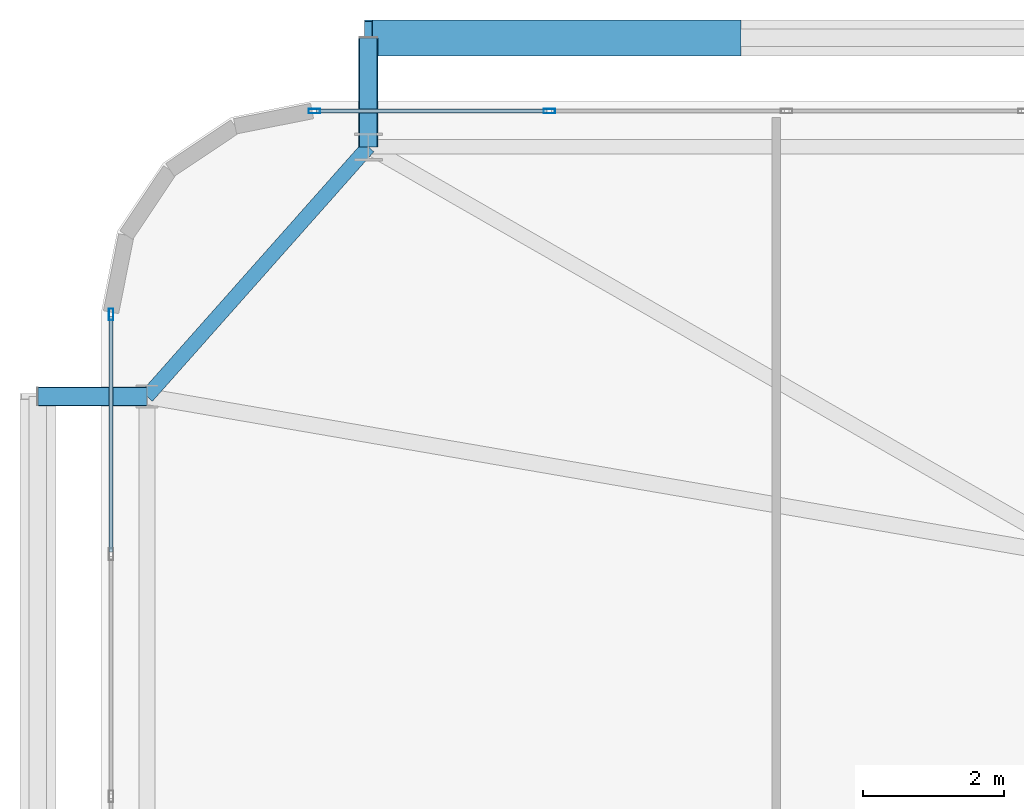
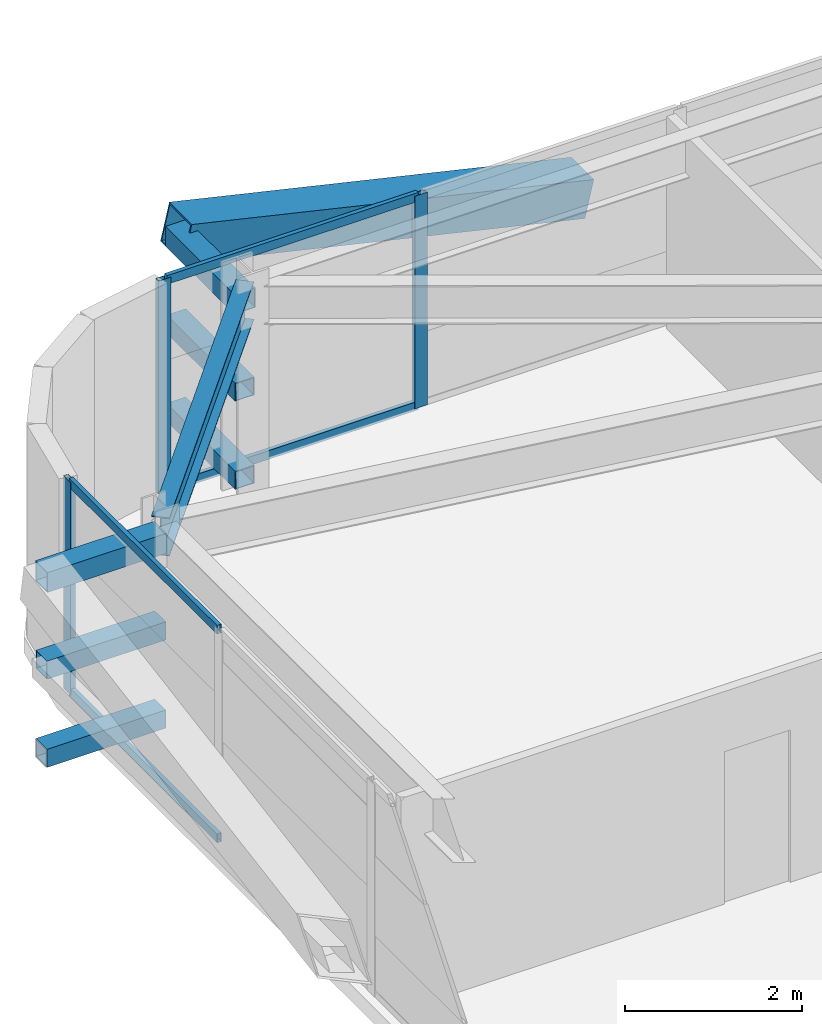
# One storey, part 33 of 58: 14 members, 1 beam, 2 elements without a shape of their own.
"""IFC4 building model written with IfcOpenShell, lengths in metres."""

from ifc_helpers import new_model, si_unit, direction, frame, origin, origin_2d, place, context, subcontext, project, spatial, hollow_rectangle, i_section, extrude, source, transform, mapped, material, layer, layer_set, material_profile, profile_set, type_object, element, aggregate, save


model = new_model("IFC4")

# Units and contexts
model_context = context("Model", 3, precision=1e-05, world=origin(), true_north=direction((0.0, 1.0)))
body_context = subcontext(model_context, "Body", "Model", "MODEL_VIEW")
ifc_project = project(units=[si_unit("LENGTHUNIT", "METRE"), si_unit("AREAUNIT", "SQUARE_METRE"), si_unit("VOLUMEUNIT", "CUBIC_METRE"), si_unit("PLANEANGLEUNIT", "RADIAN"), si_unit("MASSUNIT", "GRAM", prefix="KILO")], contexts=[model_context])

# Site, building, storey
site_placement = place(None, origin())
site = spatial("IfcSite", under=ifc_project, at=site_placement, CompositionType="ELEMENT")
building_placement = place(site_placement, origin())
building = spatial("IfcBuilding", under=site, at=building_placement, Name="Taldren Reach Tower", CompositionType="ELEMENT")
storey_placement = place(building_placement, frame((0.0, 0.0, 51.449951171875)))
storey = spatial("IfcBuildingStorey", under=building, at=storey_placement, Name="L15", CompositionType="ELEMENT", Elevation=51.449951171875)

# Beam
ifc_material_1 = material(Name="Steel Gr 350 (350PLUS)", Category="steel")
ifc_material_profile_1 = material_profile(ifc_material_1, i_section(OverallWidth=0.208984375, OverallDepth=0.528076171875, WebThickness=0.009521484375, FlangeThickness=0.01318359375, at=origin_2d()), Name="530UB82.0")
ifc_profile_set_1 = profile_set([ifc_material_profile_1], Name="Steel Gr 350 (350PLUS)")
beam_type = type_object("IfcBeamType", Name="SP-UB530B", PredefinedType="SPANDREL", material=ifc_profile_set_1)
shared_shape_1 = source(origin(), body_context, "Body", "SweptSolid", [
    extrude(i_section(OverallWidth=0.208984375, OverallDepth=0.528076171875, WebThickness=0.009521484375, FlangeThickness=0.01318359375, at=origin_2d()), origin(), (0.0, 0.0, 1.0), 4.74609375),
])
beam_placement = place(storey_placement, frame((8.800048828125, 37.85009765625, 2.666015625), z_axis=(-0.663721843779, -0.747979487747, 0.0), x_axis=(0.747979487747, -0.663721843779, 0.0)))
element("IfcBeam", 1, at=beam_placement, inside=storey, type_object=beam_type, Name="Perimeter spandrel B1 N1-W3 L15", PredefinedType="SPANDREL", context=body_context, shape_type="MappedRepresentation", body=[
    mapped(shared_shape_1, transform((0.0, 0.0, 0.0), scale=1.0)),
])

# Members
ifc_material_2 = material(Name="Steel Gr 450 (C450L0)", Category="steel")
ifc_material_profile_2 = material_profile(ifc_material_2, hollow_rectangle(XDim=0.27490234375, YDim=0.27490234375, WallThickness=0.00927734375, at=origin_2d()), Name="275x275x9.3SHS")
ifc_profile_set_2 = profile_set([ifc_material_profile_2], Name="Steel Gr 450 (C450L0)")
member_type_1 = type_object("IfcMemberType", Name="MB-TIE273", PredefinedType="STRUT", material=ifc_profile_set_2)
shared_shape_2 = source(origin(), body_context, "Body", "SweptSolid", [
    extrude(hollow_rectangle(XDim=0.27490234375, YDim=0.27490234375, WallThickness=0.00927734375, at=origin_2d()), origin(), (0.0, 0.0, 1.0), 1.5498046875),
])
for number, where, z_axis, x_axis, name in (
    (2, (8.800048828125, 37.85009765625, 2.650146484375), (0.0, 1.0, 0.0), (-1.0, 0.0, 0.0), "Exoskeleton diaphragm tie strut B1-N1 L15"),
    (3, (5.64990234375, 34.300048828125, 2.650146484375), (-1.0, 0.0, 0.0), (0.0, -1.0, 0.0), "Exoskeleton diaphragm tie strut B1-W3 L15"),
):
    element("IfcMember", number, at=place(storey_placement, frame(where, z_axis=z_axis, x_axis=x_axis)), inside=storey, type_object=member_type_1, Name=name, PredefinedType="STRUT", context=body_context, shape_type="MappedRepresentation", body=[
        mapped(shared_shape_2, transform((0.0, 0.0, 0.0), scale=1.0)),
    ])
ifc_material_profile_3 = material_profile(ifc_material_2, hollow_rectangle(XDim=0.510009765625, YDim=0.510009765625, WallThickness=0.02001953125, at=origin_2d()), Name="510x510x20.0SHS")
ifc_profile_set_3 = profile_set([ifc_material_profile_3], Name="Steel Gr 450 (C450L0)")
member_type_2 = type_object("IfcMemberType", Name="MB-EXO508", PredefinedType="BRACE", material=ifc_profile_set_3)
shared_shape_3 = source(origin(), body_context, "Body", "SweptSolid", [
    extrude(hollow_rectangle(XDim=0.510009765625, YDim=0.510009765625, WallThickness=0.02001953125, at=origin_2d()), origin(), (0.0, 0.0, 1.0), 5.37890625),
])
member_1_placement = place(storey_placement, frame((14.0400390625, 39.39990234375, 1.43505859375), z_axis=(-0.97415197996, 0.0, 0.225893603143), x_axis=(0.0, -1.0, 0.0)))
element("IfcMember", 4, at=member_1_placement, inside=storey, type_object=member_type_2, Name="Exoskeleton Diagrid Brace B1-N1 L15", PredefinedType="BRACE", context=body_context, shape_type="MappedRepresentation", body=[
    mapped(shared_shape_3, transform((0.0, 0.0, 0.0), scale=1.0)),
])
ifc_material_3 = material(Name="Steel Gr 350 (C350L0)", Category="steel")
ifc_material_profile_4 = material_profile(ifc_material_3, hollow_rectangle(XDim=0.25, YDim=0.25, WallThickness=0.010009765625, at=origin_2d()), Name="250x250x10.0SHS")
ifc_profile_set_4 = profile_set([ifc_material_profile_4], Name="Steel Gr 350 (C350L0)")
member_type_3 = type_object("IfcMemberType", Name="MB-POST250", PredefinedType="POST", material=ifc_profile_set_4)
shared_shape_4 = source(origin(), body_context, "Body", "SweptSolid", [
    extrude(hollow_rectangle(XDim=0.25, YDim=0.25, WallThickness=0.010009765625, at=origin_2d()), origin(), (0.0, 0.0, 1.0), 1.5498046875),
])
for number, where, z_axis, x_axis, name in (
    (5, (8.800048828125, 37.85009765625, 0.219970703125), (0.0, 1.0, 0.0), (-1.0, 0.0, 0.0), "Exoskeleton base diaphragm tie strut B1-N1 L15"),
    (6, (5.64990234375, 34.300048828125, 0.219970703125), (-1.0, 0.0, 0.0), (0.0, -1.0, 0.0), "Exoskeleton base diaphragm tie strut B1-W3 L15"),
    (7, (8.800048828125, 37.85009765625, 1.43505859375), (0.0, 1.0, 0.0), (-1.0, 0.0, 0.0), "Exoskeleton mid-tier diaphragm tie B1-N1 L15"),
    (8, (5.64990234375, 34.300048828125, 1.43505859375), (-1.0, 0.0, 0.0), (0.0, -1.0, 0.0), "Exoskeleton mid-tier diaphragm tie B1-W3 L15"),
):
    element("IfcMember", number, at=place(storey_placement, frame(where, z_axis=z_axis, x_axis=x_axis)), inside=storey, type_object=member_type_3, Name=name, PredefinedType="POST", context=body_context, shape_type="MappedRepresentation", body=[
        mapped(shared_shape_4, transform((0.0, 0.0, 0.0), scale=1.0)),
    ])

# Curtain wall, members
ifc_material_4 = material(Name="Aluminium and Low-E Glass Unitised System", Category="aluminium")
ifc_layer = layer(ifc_material_4, 0.159912109375)
ifc_layer_set = layer_set([ifc_layer], Name="Aluminium and Low-E Glass Unitised System")
curtain_wall_type = type_object("IfcCurtainWallType", Name="CW-SYS-2", PredefinedType="NOTDEFINED", material=ifc_layer_set)
curtain_wall_1_placement = place(storey_placement, origin())
curtain_wall_1 = element("IfcCurtainWall", 9, at=curtain_wall_1_placement, inside=storey, type_object=curtain_wall_type, Name="Unitised curtain wall CW-L15-N", PredefinedType="NOTDEFINED")
ifc_material_5 = material(Name="Anodised Aluminium 6063-T6", Category="aluminium")
ifc_material_profile_5 = material_profile(ifc_material_5, hollow_rectangle(XDim=0.06494140625, YDim=0.1650390625, WallThickness=0.00390625, at=origin_2d()), Name="ALU-165x65x4RHS")
ifc_profile_set_5 = profile_set([ifc_material_profile_5], Name="Anodised Aluminium 6063-T6")
member_type_4 = type_object("IfcMemberType", Name="CW-MUL-165", PredefinedType="MULLION", material=ifc_profile_set_5)
shared_shape_5 = source(origin(), body_context, "Body", "SweptSolid", [
    extrude(hollow_rectangle(XDim=0.06494140625, YDim=0.1650390625, WallThickness=0.00390625, at=origin_2d()), origin(), (0.0, 0.0, 1.0), 2.929931640625),
])
member_2_placement = place(storey_placement, frame((11.375, 38.360107421875, 0.0), z_axis=(0.0, 0.0, 1.0), x_axis=(0.0, -1.0, 0.0)))
member_2 = element("IfcMember", 10, at=member_2_placement, type_object=member_type_4, Name="CW-2 mullion 16", PredefinedType="MULLION", context=body_context, shape_type="MappedRepresentation", body=[
    mapped(shared_shape_5, transform((0.0, 0.0, 0.0), scale=1.0)),
])
member_3_placement = place(storey_placement, frame((8.032470703125, 38.360107421875, 0.0), z_axis=(0.0, 0.0, 1.0), x_axis=(0.0, -1.0, 0.0)))
member_3 = element("IfcMember", 11, at=member_3_placement, type_object=member_type_4, Name="CW-2 mullion 17", PredefinedType="MULLION", context=body_context, shape_type="MappedRepresentation", body=[
    mapped(shared_shape_5, transform((0.0, 0.0, 0.0), scale=1.0)),
])

# Curtain wall, member
curtain_wall_2_placement = place(storey_placement, origin())
curtain_wall_2 = element("IfcCurtainWall", 12, at=curtain_wall_2_placement, inside=storey, type_object=curtain_wall_type, Name="Unitised curtain wall CW-L15-W", PredefinedType="NOTDEFINED")
member_4_placement = place(storey_placement, frame((5.139892578125, 35.467529296875, 0.0), z_axis=(0.0, 0.0, 1.0), x_axis=(1.0, 0.0, 0.0)))
member_4 = element("IfcMember", 13, at=member_4_placement, type_object=member_type_4, Name="CW-2 mullion 1", PredefinedType="MULLION", context=body_context, shape_type="MappedRepresentation", body=[
    mapped(shared_shape_5, transform((0.0, 0.0, 0.0), scale=1.0)),
])

# Member
ifc_material_profile_6 = material_profile(ifc_material_5, hollow_rectangle(XDim=0.054931640625, YDim=0.1201171875, WallThickness=0.0029296875, at=origin_2d()), Name="ALU-120x55x3RHS")
ifc_profile_set_6 = profile_set([ifc_material_profile_6], Name="Anodised Aluminium 6063-T6")
member_type_5 = type_object("IfcMemberType", Name="CW-TRN-135", PredefinedType="USERDEFINED", material=ifc_profile_set_6)
shared_shape_6 = source(origin(), body_context, "Body", "SweptSolid", [
    extrude(hollow_rectangle(XDim=0.054931640625, YDim=0.1201171875, WallThickness=0.0029296875, at=origin_2d()), origin(), (0.0, 0.0, 1.0), 3.277587890625),
])
member_5_placement = place(storey_placement, frame((11.342529296875, 38.360107421875, 0.027587890625), z_axis=(-1.0, 0.0, 0.0), x_axis=(0.0, -1.0, 0.0)))
member_5 = element("IfcMember", 14, at=member_5_placement, type_object=member_type_5, Name="CW-2 transom 16.1", ObjectType="TRANSOM", PredefinedType="USERDEFINED", context=body_context, shape_type="MappedRepresentation", body=[
    mapped(shared_shape_6, transform((0.0, 0.0, 0.0), scale=1.0)),
])

member_6_placement = place(storey_placement, frame((11.342529296875, 38.360107421875, 2.902587890625), z_axis=(-1.0, 0.0, 0.0), x_axis=(0.0, -1.0, 0.0)))
member_6 = element("IfcMember", 15, at=member_6_placement, type_object=member_type_5, Name="CW-2 transom 16.2", ObjectType="TRANSOM", PredefinedType="USERDEFINED", context=body_context, shape_type="MappedRepresentation", body=[
    mapped(shared_shape_6, transform((0.0, 0.0, 0.0), scale=1.0)),
])

aggregate(curtain_wall_1, [member_2, member_3, member_5, member_6])

shared_shape_7 = source(origin(), body_context, "Body", "SweptSolid", [
    extrude(hollow_rectangle(XDim=0.054931640625, YDim=0.1201171875, WallThickness=0.0029296875, at=origin_2d()), origin(), (0.0, 0.0, 1.0), 3.346923828125),
])
member_7_placement = place(storey_placement, frame((5.139892578125, 35.43505859375, 0.027587890625), z_axis=(0.0, -1.0, 0.0), x_axis=(1.0, 0.0, 0.0)))
member_7 = element("IfcMember", 16, at=member_7_placement, type_object=member_type_5, Name="CW-2 transom 1.1", ObjectType="TRANSOM", PredefinedType="USERDEFINED", context=body_context, shape_type="MappedRepresentation", body=[
    mapped(shared_shape_7, transform((0.0, 0.0, 0.0), scale=1.0)),
])

member_8_placement = place(storey_placement, frame((5.139892578125, 35.43505859375, 2.902587890625), z_axis=(0.0, -1.0, 0.0), x_axis=(1.0, 0.0, 0.0)))
member_8 = element("IfcMember", 17, at=member_8_placement, type_object=member_type_5, Name="CW-2 transom 1.2", ObjectType="TRANSOM", PredefinedType="USERDEFINED", context=body_context, shape_type="MappedRepresentation", body=[
    mapped(shared_shape_7, transform((0.0, 0.0, 0.0), scale=1.0)),
])

aggregate(curtain_wall_2, [member_4, member_7, member_8])

save(model, "model.ifc")
